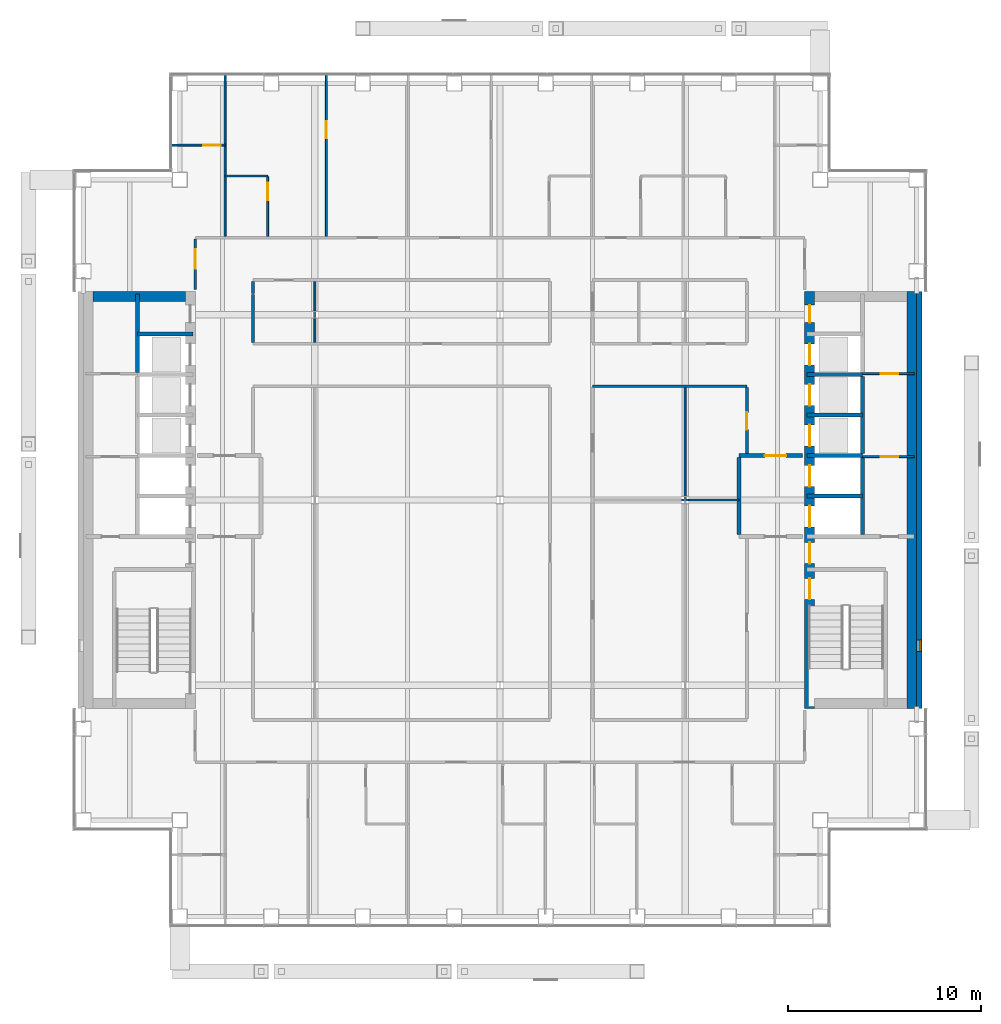
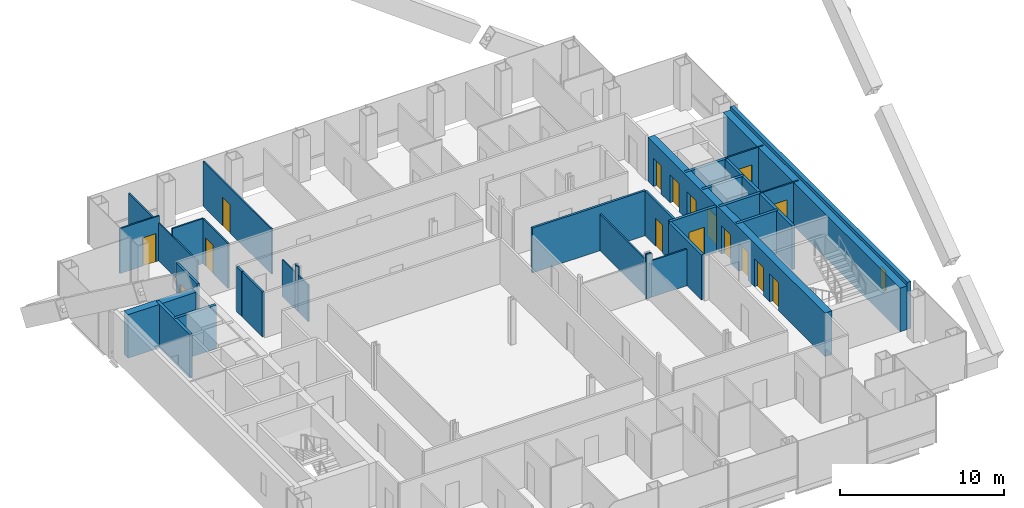
# One storey, part 14 of 18: 32 walls, 16 doors, 1 window, 17 openings.
"""IFC4 building model written with IfcOpenShell, lengths in metres."""

from ifc_helpers import new_model, si_unit, direction, frame, frame_2d, origin, place, context, subcontext, project, spatial, rectangle, extrude, material, layer, layer_set, type_object, element, fill, save


model = new_model("IFC4")

# Units and contexts
model_context = context("Model", 3, precision=1e-05, world=origin(), true_north=direction((0.0, 1.0)))
body_context = subcontext(model_context, "Body", "Model", "MODEL_VIEW")
ifc_project = project(units=[si_unit("LENGTHUNIT", "METRE"), si_unit("AREAUNIT", "SQUARE_METRE"), si_unit("VOLUMEUNIT", "CUBIC_METRE"), si_unit("PLANEANGLEUNIT", "RADIAN"), si_unit("MASSUNIT", "GRAM", prefix="KILO")], contexts=[model_context])

# Site, building, storey
site_placement = place(None, origin())
site = spatial("IfcSite", under=ifc_project, at=site_placement, CompositionType="ELEMENT")
building_placement = place(site_placement, origin())
building = spatial("IfcBuilding", under=site, at=building_placement, Name="Cobrizo Arcos Hotel Tower", CompositionType="ELEMENT")
storey_placement = place(building_placement, frame((0.0, 0.0, 158.5)))
storey = spatial("IfcBuildingStorey", under=building, at=storey_placement, Name="L40", CompositionType="ELEMENT", Elevation=158.5)

# Wall
ifc_material_1 = material(Name="Gypsum board partition")
ifc_layer_1 = layer(ifc_material_1, 0.14990234375)
ifc_layer_set_1 = layer_set([ifc_layer_1], Name="Corridor wall EI 60 150")
wall_type_1 = type_object("IfcWallType", Name="Corridor wall EI 60 150", PredefinedType="PARTITIONING", material=ifc_layer_set_1)
wall_1_placement = place(storey_placement, frame((4.800048828125, 5.89990234375, 0.0), z_axis=(0.0, 0.0, 1.0), x_axis=(1.0, 0.0, 0.0)))
element("IfcWall", 1, at=wall_1_placement, inside=storey, type_object=wall_type_1, Name="Partition 030", PredefinedType="PARTITIONING", context=body_context, shape_type="SweptSolid", body=[
    extrude(rectangle(XDim=8.0, YDim=0.14990234375, at=frame_2d((4.0, 0.0))), origin(), (0.0, 0.0, 1.0), 3.35009765625),
])

# Wall, opening, door
wall_2_placement = place(storey_placement, frame((-15.800048828125, 10.919921875, 0.0), z_axis=(0.0, 0.0, 1.0), x_axis=(0.0, 1.0, 0.0)))
wall_2 = element("IfcWall", 2, at=wall_2_placement, inside=storey, type_object=wall_type_1, Name="Partition 053", PredefinedType="PARTITIONING", context=body_context, shape_type="SweptSolid", body=[
    extrude(rectangle(XDim=2.60498046875, YDim=0.14990234375, at=frame_2d((1.302490234375, 0.0))), origin(), (0.0, 0.0, 1.0), 3.35009765625),
])
opening_1_placement = place(wall_2_placement, frame((1.080078125, 0.0, 0.0)))
opening_1 = element("IfcOpeningElement", 3, at=opening_1_placement, cuts=wall_2, Name="Opening GD-10", PredefinedType="OPENING", context=body_context, shape_type="SweptSolid", body=[
    extrude(rectangle(XDim=1.0, YDim=2.10009765625, at=frame_2d((0.5, 1.050048828125))), frame((0.0, 0.0869140625, 0.0), z_axis=(0.0, -1.0, 0.0), x_axis=(1.0, 0.0, 0.0)), (0.0, 0.0, 1.0), 0.173828125),
])
ifc_material_2 = material(Name="Timber door leaf", Category="wood")
door_type_1 = type_object("IfcDoorType", Name="Guest room door FD30S 1000x2100", OperationType="SINGLE_SWING_LEFT", PredefinedType="DOOR", material=ifc_material_2)
door_1_placement = place(opening_1_placement, origin())
door_1 = element("IfcDoor", 4, at=door_1_placement, inside=storey, type_object=door_type_1, Name="Door GD-10", OperationType="SINGLE_SWING_LEFT", OverallHeight=2.10009765625, OverallWidth=1.0, PredefinedType="DOOR", context=body_context, shape_type="SweptSolid", body=[
    extrude(rectangle(XDim=1.0, YDim=2.10009765625, at=frame_2d((0.5, 1.050048828125))), frame((0.0, 0.02490234375, 0.0), z_axis=(0.0, -1.0, 0.0), x_axis=(1.0, 0.0, 0.0)), (0.0, 0.0, 1.0), 0.050048828125),
])
fill(opening_1, door_1)

# Walls
wall_3_placement = place(storey_placement, frame((-12.800048828125, 8.175048828125, 0.0), z_axis=(0.0, 0.0, 1.0), x_axis=(0.0, 1.0, 0.0)))
element("IfcWall", 5, at=wall_3_placement, inside=storey, type_object=wall_type_1, Name="Partition 058", PredefinedType="PARTITIONING", context=body_context, shape_type="SweptSolid", body=[
    extrude(rectangle(XDim=2.474853515625, YDim=0.14990234375, at=frame_2d((1.2373046875, 0.0))), origin(), (0.0, 0.0, 1.0), 3.35009765625),
])
wall_4_placement = place(storey_placement, frame((-12.800048828125, 10.699951171875, 0.0), z_axis=(0.0, 0.0, 1.0), x_axis=(0.0, 1.0, 0.0)))
element("IfcWall", 6, at=wall_4_placement, inside=storey, type_object=wall_type_1, Name="Partition 059", PredefinedType="PARTITIONING", context=body_context, shape_type="SweptSolid", body=[
    extrude(rectangle(XDim=0.625, YDim=0.14990234375, at=frame_2d((0.3125, 0.0))), origin(), (0.0, 0.0, 1.0), 3.35009765625),
])

# Wall, opening, door
wall_5_placement = place(storey_placement, frame((12.800048828125, 2.39990234375, 0.0), z_axis=(0.0, 0.0, 1.0), x_axis=(0.0, 1.0, 0.0)))
wall_5 = element("IfcWall", 7, at=wall_5_placement, inside=storey, type_object=wall_type_1, Name="Partition 107", PredefinedType="PARTITIONING", context=body_context, shape_type="SweptSolid", body=[
    extrude(rectangle(XDim=3.425048828125, YDim=0.14990234375, at=frame_2d((1.71240234375, 0.0))), origin(), (0.0, 0.0, 1.0), 3.35009765625),
])
opening_2_placement = place(wall_5_placement, frame((1.25, 0.0, 0.0)))
opening_2 = element("IfcOpeningElement", 8, at=opening_2_placement, cuts=wall_5, Name="Opening RD-13", PredefinedType="OPENING", context=body_context, shape_type="SweptSolid", body=[
    extrude(rectangle(XDim=0.89990234375, YDim=2.10009765625, at=frame_2d((0.449951171875, 1.050048828125))), frame((0.0, 0.0869140625, 0.0), z_axis=(0.0, -1.0, 0.0), x_axis=(1.0, 0.0, 0.0)), (0.0, 0.0, 1.0), 0.173828125),
])
door_type_2 = type_object("IfcDoorType", Name="Room door FD30 900x2100", OperationType="SINGLE_SWING_LEFT", PredefinedType="DOOR", material=ifc_material_2)
door_2_placement = place(opening_2_placement, origin())
door_2 = element("IfcDoor", 9, at=door_2_placement, inside=storey, type_object=door_type_2, Name="Door RD-13", OperationType="SINGLE_SWING_RIGHT", OverallHeight=2.10009765625, OverallWidth=0.89990234375, PredefinedType="DOOR", context=body_context, shape_type="SweptSolid", body=[
    extrude(rectangle(XDim=0.89990234375, YDim=2.10009765625, at=frame_2d((0.449951171875, 1.050048828125))), frame((0.0, 0.02490234375, 0.0), z_axis=(0.0, -1.0, 0.0), x_axis=(1.0, 0.0, 0.0)), (0.0, 0.0, 1.0), 0.050048828125),
])
fill(opening_2, door_2)

# Wall, opening, window
ifc_material_3 = material(Name="Aluminium composite panel pale metal", Category="aluminium")
ifc_layer_2 = layer(ifc_material_3, 0.27490234375)
ifc_layer_set_2 = layer_set([ifc_layer_2], Name="EW-1 insulated panel wall 275")
wall_type_2 = type_object("IfcWallType", Name="EW-1 insulated panel wall 275", PredefinedType="SOLIDWALL", material=ifc_layer_set_2)
wall_6_placement = place(storey_placement, frame((21.737548828125, -10.800048828125, 0.0), z_axis=(0.0, 0.0, 1.0), x_axis=(0.0, 1.0, 0.0)))
wall_6 = element("IfcWall", 10, at=wall_6_placement, inside=storey, type_object=wall_type_2, Name="Core face wall L40 E", PredefinedType="SOLIDWALL", context=body_context, shape_type="SweptSolid", body=[
    extrude(rectangle(XDim=21.60009765625, YDim=0.27490234375, at=frame_2d((10.800048828125, 0.0))), origin(), (0.0, 0.0, 1.0), 3.5),
])
opening_3_placement = place(wall_6_placement, frame((2.949951171875, 0.0, 1.0)))
opening_3 = element("IfcOpeningElement", 11, at=opening_3_placement, cuts=wall_6, Name="Opening W-87", PredefinedType="OPENING", context=body_context, shape_type="SweptSolid", body=[
    extrude(rectangle(XDim=0.60009765625, YDim=1.5, at=frame_2d((0.300048828125, 0.75))), frame((0.0, 0.1494140625, 0.0), z_axis=(0.0, -1.0, 0.0), x_axis=(1.0, 0.0, 0.0)), (0.0, 0.0, 1.0), 0.298828125),
])
ifc_material_4 = material(Name="Aluminium 6063-T6 and clear laminated glass", Category="aluminium")
window_type = type_object("IfcWindowType", Name="W-C1 core stair slot window 600x1500", PartitioningType="SINGLE_PANEL", PredefinedType="WINDOW", material=ifc_material_4)
window_placement = place(opening_3_placement, origin())
window = element("IfcWindow", 12, at=window_placement, inside=storey, type_object=window_type, Name="Core face wall L40 E window W-87", OverallHeight=1.5, OverallWidth=0.60009765625, PartitioningType="SINGLE_PANEL", PredefinedType="WINDOW", context=body_context, shape_type="SweptSolid", body=[
    extrude(rectangle(XDim=0.60009765625, YDim=1.5, at=frame_2d((0.300048828125, 0.75))), frame((0.0, -0.04736328125, 0.0), z_axis=(0.0, -1.0, 0.0), x_axis=(1.0, 0.0, 0.0)), (0.0, 0.0, 1.0), 0.06005859375),
])
fill(opening_3, window)

# Walls
ifc_layer_3 = layer(ifc_material_1, 0.10009765625)
ifc_layer_set_3 = layer_set([ifc_layer_3], Name="Partition EI 30 100")
wall_type_3 = type_object("IfcWallType", Name="Partition EI 30 100", PredefinedType="PARTITIONING", material=ifc_layer_set_3)
wall_7_placement = place(storey_placement, frame((9.4130859375, 0.0, 0.0), z_axis=(0.0, 0.0, 1.0), x_axis=(1.0, 0.0, 0.0)))
element("IfcWall", 13, at=wall_7_placement, inside=storey, type_object=wall_type_3, Name="Partition 017", PredefinedType="PARTITIONING", context=body_context, shape_type="SweptSolid", body=[
    extrude(rectangle(XDim=0.3740234375, YDim=0.10009765625, at=frame_2d((0.18701171875, 0.0))), origin(), (0.0, 0.0, 1.0), 3.35009765625),
])
wall_8_placement = place(storey_placement, frame((9.787109375, 0.0, 0.0), z_axis=(0.0, 0.0, 1.0), x_axis=(1.0, 0.0, 0.0)))
element("IfcWall", 14, at=wall_8_placement, inside=storey, type_object=wall_type_3, Name="Partition 018", PredefinedType="PARTITIONING", context=body_context, shape_type="SweptSolid", body=[
    extrude(rectangle(XDim=2.61279296875, YDim=0.10009765625, at=frame_2d((1.306396484375, 0.0))), origin(), (0.0, 0.0, 1.0), 2.72802734375),
])

# Wall, opening, door
wall_9_placement = place(storey_placement, frame((18.800048828125, 2.25, 0.0), z_axis=(0.0, 0.0, 1.0), x_axis=(1.0, 0.0, 0.0)))
wall_9 = element("IfcWall", 15, at=wall_9_placement, inside=storey, type_object=wall_type_3, Name="Partition 022", PredefinedType="PARTITIONING", context=body_context, shape_type="SweptSolid", body=[
    extrude(rectangle(XDim=2.679931640625, YDim=0.10009765625, at=frame_2d((1.33984375, 0.0))), origin(), (0.0, 0.0, 1.0), 3.25),
])
opening_4_placement = place(wall_9_placement, frame((0.949951171875, 0.0, 0.0)))
opening_4 = element("IfcOpeningElement", 16, at=opening_4_placement, cuts=wall_9, Name="Opening RD-06", PredefinedType="OPENING", context=body_context, shape_type="SweptSolid", body=[
    extrude(rectangle(XDim=0.89990234375, YDim=2.10009765625, at=frame_2d((0.449951171875, 1.050048828125))), frame((0.0, 0.06201171875, 0.0), z_axis=(0.0, -1.0, 0.0), x_axis=(1.0, 0.0, 0.0)), (0.0, 0.0, 1.0), 0.1240234375),
])
door_3_placement = place(opening_4_placement, origin())
door_3 = element("IfcDoor", 17, at=door_3_placement, inside=storey, type_object=door_type_2, Name="Door RD-06", OperationType="SINGLE_SWING_LEFT", OverallHeight=2.10009765625, OverallWidth=0.89990234375, PredefinedType="DOOR", context=body_context, shape_type="SweptSolid", body=[
    extrude(rectangle(XDim=0.89990234375, YDim=2.10009765625, at=frame_2d((0.449951171875, 1.050048828125))), frame((0.0, 0.02490234375, 0.0), z_axis=(0.0, -1.0, 0.0), x_axis=(1.0, 0.0, 0.0)), (0.0, 0.0, 1.0), 0.050048828125),
])
fill(opening_4, door_3)

wall_10_placement = place(storey_placement, frame((18.800048828125, 6.550048828125, 0.0), z_axis=(0.0, 0.0, 1.0), x_axis=(1.0, 0.0, 0.0)))
wall_10 = element("IfcWall", 18, at=wall_10_placement, inside=storey, type_object=wall_type_3, Name="Partition 034", PredefinedType="PARTITIONING", context=body_context, shape_type="SweptSolid", body=[
    extrude(rectangle(XDim=2.679931640625, YDim=0.10009765625, at=frame_2d((1.33984375, 0.0))), origin(), (0.0, 0.0, 1.0), 3.25),
])
opening_5_placement = place(wall_10_placement, frame((0.949951171875, 0.0, 0.0)))
opening_5 = element("IfcOpeningElement", 19, at=opening_5_placement, cuts=wall_10, Name="Opening RD-07", PredefinedType="OPENING", context=body_context, shape_type="SweptSolid", body=[
    extrude(rectangle(XDim=0.89990234375, YDim=2.10009765625, at=frame_2d((0.449951171875, 1.050048828125))), frame((0.0, 0.06201171875, 0.0), z_axis=(0.0, -1.0, 0.0), x_axis=(1.0, 0.0, 0.0)), (0.0, 0.0, 1.0), 0.1240234375),
])
door_4_placement = place(opening_5_placement, origin())
door_4 = element("IfcDoor", 20, at=door_4_placement, inside=storey, type_object=door_type_2, Name="Door RD-07", OperationType="SINGLE_SWING_LEFT", OverallHeight=2.10009765625, OverallWidth=0.89990234375, PredefinedType="DOOR", context=body_context, shape_type="SweptSolid", body=[
    extrude(rectangle(XDim=0.89990234375, YDim=2.10009765625, at=frame_2d((0.449951171875, 1.050048828125))), frame((0.0, 0.02490234375, 0.0), z_axis=(0.0, -1.0, 0.0), x_axis=(1.0, 0.0, 0.0)), (0.0, 0.0, 1.0), 0.050048828125),
])
fill(opening_5, door_4)

# Wall
wall_11_placement = place(storey_placement, frame((-14.25, 16.800048828125, 0.0), z_axis=(0.0, 0.0, 1.0), x_axis=(1.0, 0.0, 0.0)))
element("IfcWall", 21, at=wall_11_placement, inside=storey, type_object=wall_type_3, Name="Partition 042", PredefinedType="PARTITIONING", context=body_context, shape_type="SweptSolid", body=[
    extrude(rectangle(XDim=2.199951171875, YDim=0.10009765625, at=frame_2d((1.10009765625, 0.0))), origin(), (0.0, 0.0, 1.0), 3.35009765625),
])

# Wall, opening, door
wall_12_placement = place(storey_placement, frame((-17.030029296875, 18.39990234375, 0.0), z_axis=(0.0, 0.0, 1.0), x_axis=(1.0, 0.0, 0.0)))
wall_12 = element("IfcWall", 22, at=wall_12_placement, inside=storey, type_object=wall_type_3, Name="Partition 045", PredefinedType="PARTITIONING", context=body_context, shape_type="SweptSolid", body=[
    extrude(rectangle(XDim=2.780029296875, YDim=0.10009765625, at=frame_2d((1.39013671875, 0.0))), origin(), (0.0, 0.0, 1.0), 3.35009765625),
])
opening_6_placement = place(wall_12_placement, frame((1.639892578125, 0.0, 0.0)))
opening_6 = element("IfcOpeningElement", 23, at=opening_6_placement, cuts=wall_12, Name="Opening ED-11", PredefinedType="OPENING", context=body_context, shape_type="SweptSolid", body=[
    extrude(rectangle(XDim=0.89990234375, YDim=2.10009765625, at=frame_2d((0.449951171875, 1.050048828125))), frame((0.0, 0.06201171875, 0.0), z_axis=(0.0, -1.0, 0.0), x_axis=(1.0, 0.0, 0.0)), (0.0, 0.0, 1.0), 0.1240234375),
])
door_type_3 = type_object("IfcDoorType", Name="En-suite door 900x2100", OperationType="SINGLE_SWING_LEFT", PredefinedType="DOOR", material=ifc_material_2)
door_5_placement = place(opening_6_placement, origin())
door_5 = element("IfcDoor", 24, at=door_5_placement, inside=storey, type_object=door_type_3, Name="Door ED-11", OperationType="SINGLE_SWING_RIGHT", OverallHeight=2.10009765625, OverallWidth=0.89990234375, PredefinedType="DOOR", context=body_context, shape_type="SweptSolid", body=[
    extrude(rectangle(XDim=0.89990234375, YDim=2.10009765625, at=frame_2d((0.449951171875, 1.050048828125))), frame((0.0, 0.02490234375, 0.0), z_axis=(0.0, -1.0, 0.0), x_axis=(1.0, 0.0, 0.0)), (0.0, 0.0, 1.0), 0.050048828125),
])
fill(opening_6, door_5)

# Wall
wall_13_placement = place(storey_placement, frame((-14.25, 13.675048828125, 0.0), z_axis=(0.0, 0.0, 1.0), x_axis=(0.0, 1.0, 0.0)))
element("IfcWall", 25, at=wall_13_placement, inside=storey, type_object=wall_type_3, Name="Partition 055", PredefinedType="PARTITIONING", context=body_context, shape_type="SweptSolid", body=[
    extrude(rectangle(XDim=8.35498046875, YDim=0.10009765625, at=frame_2d((4.177490234375, 0.0))), origin(), (0.0, 0.0, 1.0), 2.81689453125),
])

# Wall, opening, door
wall_14_placement = place(storey_placement, frame((-12.050048828125, 13.675048828125, 0.0), z_axis=(0.0, 0.0, 1.0), x_axis=(0.0, 1.0, 0.0)))
wall_14 = element("IfcWall", 26, at=wall_14_placement, inside=storey, type_object=wall_type_3, Name="Partition 061", PredefinedType="PARTITIONING", context=body_context, shape_type="SweptSolid", body=[
    extrude(rectangle(XDim=3.074951171875, YDim=0.10009765625, at=frame_2d((1.53759765625, 0.0))), origin(), (0.0, 0.0, 1.0), 3.35009765625),
])
opening_7_placement = place(wall_14_placement, frame((1.875, 0.0, 0.0)))
opening_7 = element("IfcOpeningElement", 27, at=opening_7_placement, cuts=wall_14, Name="Opening ED-02", PredefinedType="OPENING", context=body_context, shape_type="SweptSolid", body=[
    extrude(rectangle(XDim=0.89990234375, YDim=2.10009765625, at=frame_2d((0.449951171875, 1.050048828125))), frame((0.0, 0.06201171875, 0.0), z_axis=(0.0, -1.0, 0.0), x_axis=(1.0, 0.0, 0.0)), (0.0, 0.0, 1.0), 0.1240234375),
])
door_6_placement = place(opening_7_placement, origin())
door_6 = element("IfcDoor", 28, at=door_6_placement, inside=storey, type_object=door_type_3, Name="Door ED-02", OperationType="SINGLE_SWING_RIGHT", OverallHeight=2.10009765625, OverallWidth=0.89990234375, PredefinedType="DOOR", context=body_context, shape_type="SweptSolid", body=[
    extrude(rectangle(XDim=0.89990234375, YDim=2.10009765625, at=frame_2d((0.449951171875, 1.050048828125))), frame((0.0, 0.02490234375, 0.0), z_axis=(0.0, -1.0, 0.0), x_axis=(1.0, 0.0, 0.0)), (0.0, 0.0, 1.0), 0.050048828125),
])
fill(opening_7, door_6)

# Walls
wall_15_placement = place(storey_placement, frame((-9.60009765625, 8.175048828125, 0.0), z_axis=(0.0, 0.0, 1.0), x_axis=(0.0, 1.0, 0.0)))
element("IfcWall", 29, at=wall_15_placement, inside=storey, type_object=wall_type_3, Name="Partition 068", PredefinedType="PARTITIONING", context=body_context, shape_type="SweptSolid", body=[
    extrude(rectangle(XDim=1.238037109375, YDim=0.10009765625, at=frame_2d((0.619140625, 0.0))), origin(), (0.0, 0.0, 1.0), 2.72802734375),
])
wall_16_placement = place(storey_placement, frame((-9.60009765625, 9.4130859375, 0.0), z_axis=(0.0, 0.0, 1.0), x_axis=(0.0, 1.0, 0.0)))
element("IfcWall", 30, at=wall_16_placement, inside=storey, type_object=wall_type_3, Name="Partition 069", PredefinedType="PARTITIONING", context=body_context, shape_type="SweptSolid", body=[
    extrude(rectangle(XDim=0.3740234375, YDim=0.10009765625, at=frame_2d((0.18701171875, 0.0))), origin(), (0.0, 0.0, 1.0), 3.35009765625),
])
wall_17_placement = place(storey_placement, frame((-9.60009765625, 9.787109375, 0.0), z_axis=(0.0, 0.0, 1.0), x_axis=(0.0, 1.0, 0.0)))
element("IfcWall", 31, at=wall_17_placement, inside=storey, type_object=wall_type_3, Name="Partition 070", PredefinedType="PARTITIONING", context=body_context, shape_type="SweptSolid", body=[
    extrude(rectangle(XDim=1.537841796875, YDim=0.10009765625, at=frame_2d((0.76904296875, 0.0))), origin(), (0.0, 0.0, 1.0), 2.72802734375),
])

# Wall, opening, door
wall_18_placement = place(storey_placement, frame((-9.0, 13.675048828125, 0.0), z_axis=(0.0, 0.0, 1.0), x_axis=(0.0, 1.0, 0.0)))
wall_18 = element("IfcWall", 32, at=wall_18_placement, inside=storey, type_object=wall_type_3, Name="Partition 071", PredefinedType="PARTITIONING", context=body_context, shape_type="SweptSolid", body=[
    extrude(rectangle(XDim=8.35498046875, YDim=0.10009765625, at=frame_2d((4.177490234375, 0.0))), origin(), (0.0, 0.0, 1.0), 3.35009765625),
])
opening_8_placement = place(wall_18_placement, frame((5.074951171875, 0.0, 0.0)))
opening_8 = element("IfcOpeningElement", 33, at=opening_8_placement, cuts=wall_18, Name="Opening RD-08", PredefinedType="OPENING", context=body_context, shape_type="SweptSolid", body=[
    extrude(rectangle(XDim=0.89990234375, YDim=2.10009765625, at=frame_2d((0.449951171875, 1.050048828125))), frame((0.0, 0.06201171875, 0.0), z_axis=(0.0, -1.0, 0.0), x_axis=(1.0, 0.0, 0.0)), (0.0, 0.0, 1.0), 0.1240234375),
])
door_7_placement = place(opening_8_placement, origin())
door_7 = element("IfcDoor", 34, at=door_7_placement, inside=storey, type_object=door_type_2, Name="Door RD-08", OperationType="SINGLE_SWING_RIGHT", OverallHeight=2.10009765625, OverallWidth=0.89990234375, PredefinedType="DOOR", context=body_context, shape_type="SweptSolid", body=[
    extrude(rectangle(XDim=0.89990234375, YDim=2.10009765625, at=frame_2d((0.449951171875, 1.050048828125))), frame((0.0, 0.02490234375, 0.0), z_axis=(0.0, -1.0, 0.0), x_axis=(1.0, 0.0, 0.0)), (0.0, 0.0, 1.0), 0.050048828125),
])
fill(opening_8, door_7)

# Wall
wall_19_placement = place(storey_placement, frame((9.60009765625, 0.050048828125, 0.0), z_axis=(0.0, 0.0, 1.0), x_axis=(0.0, 1.0, 0.0)))
element("IfcWall", 35, at=wall_19_placement, inside=storey, type_object=wall_type_3, Name="Partition 099", PredefinedType="PARTITIONING", context=body_context, shape_type="SweptSolid", body=[
    extrude(rectangle(XDim=5.77490234375, YDim=0.10009765625, at=frame_2d((2.887451171875, 0.0))), origin(), (0.0, 0.0, 1.0), 2.72802734375),
])

# Wall, openings, doors
ifc_material_5 = material(Name="Concrete f'c 50 MPa", Category="concrete")
ifc_layer_4 = layer(ifc_material_5, 0.5)
ifc_layer_set_4 = layer_set([ifc_layer_4], Name="RC core wall 500 f'c 50")
wall_type_4 = type_object("IfcWallType", Name="RC core wall 500 f'c 50", PredefinedType="SHEAR", material=ifc_layer_set_4)
wall_20_placement = place(storey_placement, frame((16.050048828125, -10.800048828125, 0.0), z_axis=(0.0, 0.0, 1.0), x_axis=(0.0, 1.0, 0.0)))
wall_20 = element("IfcWall", 36, at=wall_20_placement, inside=storey, type_object=wall_type_4, Name="Core wall CW3, east core, inner face, L40", PredefinedType="SHEAR", context=body_context, shape_type="SweptSolid", body=[
    extrude(rectangle(XDim=21.60009765625, YDim=0.5, at=frame_2d((10.800048828125, 0.0))), origin(), (0.0, 0.0, 1.0), 3.25),
])
opening_9_placement = place(wall_20_placement, frame((9.39990234375, 0.0, 0.0)))
opening_9 = element("IfcOpeningElement", 37, at=opening_9_placement, cuts=wall_20, Name="Opening LD-06", PredefinedType="OPENING", context=body_context, shape_type="SweptSolid", body=[
    extrude(rectangle(XDim=1.10009765625, YDim=2.10009765625, at=frame_2d((0.550048828125, 1.050048828125))), frame((0.0, 0.261962890625, 0.0), z_axis=(0.0, -1.0, 0.0), x_axis=(1.0, 0.0, 0.0)), (0.0, 0.0, 1.0), 0.52392578125),
])
opening_10_placement = place(wall_20_placement, frame((11.5, 0.0, 0.0)))
opening_10 = element("IfcOpeningElement", 38, at=opening_10_placement, cuts=wall_20, Name="Opening LD-07", PredefinedType="OPENING", context=body_context, shape_type="SweptSolid", body=[
    extrude(rectangle(XDim=1.10009765625, YDim=2.10009765625, at=frame_2d((0.550048828125, 1.050048828125))), frame((0.0, 0.261962890625, 0.0), z_axis=(0.0, -1.0, 0.0), x_axis=(1.0, 0.0, 0.0)), (0.0, 0.0, 1.0), 0.52392578125),
])
opening_11_placement = place(wall_20_placement, frame((13.60009765625, 0.0, 0.0)))
opening_11 = element("IfcOpeningElement", 39, at=opening_11_placement, cuts=wall_20, Name="Opening LD-08", PredefinedType="OPENING", context=body_context, shape_type="SweptSolid", body=[
    extrude(rectangle(XDim=1.10009765625, YDim=2.10009765625, at=frame_2d((0.550048828125, 1.050048828125))), frame((0.0, 0.261962890625, 0.0), z_axis=(0.0, -1.0, 0.0), x_axis=(1.0, 0.0, 0.0)), (0.0, 0.0, 1.0), 0.52392578125),
])
opening_12_placement = place(wall_20_placement, frame((15.699951171875, 0.0, 0.0)))
opening_12 = element("IfcOpeningElement", 40, at=opening_12_placement, cuts=wall_20, Name="Opening LD-09", PredefinedType="OPENING", context=body_context, shape_type="SweptSolid", body=[
    extrude(rectangle(XDim=1.10009765625, YDim=2.10009765625, at=frame_2d((0.550048828125, 1.050048828125))), frame((0.0, 0.261962890625, 0.0), z_axis=(0.0, -1.0, 0.0), x_axis=(1.0, 0.0, 0.0)), (0.0, 0.0, 1.0), 0.52392578125),
])
opening_13_placement = place(wall_20_placement, frame((17.800048828125, 0.0, 0.0)))
opening_13 = element("IfcOpeningElement", 41, at=opening_13_placement, cuts=wall_20, Name="Opening LD-10", PredefinedType="OPENING", context=body_context, shape_type="SweptSolid", body=[
    extrude(rectangle(XDim=1.10009765625, YDim=2.10009765625, at=frame_2d((0.550048828125, 1.050048828125))), frame((0.0, 0.261962890625, 0.0), z_axis=(0.0, -1.0, 0.0), x_axis=(1.0, 0.0, 0.0)), (0.0, 0.0, 1.0), 0.52392578125),
])
opening_14_placement = place(wall_20_placement, frame((5.64208984375, 0.0, 0.0)))
opening_14 = element("IfcOpeningElement", 42, at=opening_14_placement, cuts=wall_20, Name="Opening SD-02", PredefinedType="OPENING", context=body_context, shape_type="SweptSolid", body=[
    extrude(rectangle(XDim=1.10009765625, YDim=2.10009765625, at=frame_2d((0.550048828125, 1.050048828125))), frame((0.0, 0.261962890625, 0.0), z_axis=(0.0, -1.0, 0.0), x_axis=(1.0, 0.0, 0.0)), (0.0, 0.0, 1.0), 0.52392578125),
])
opening_15_placement = place(wall_20_placement, frame((7.5, 0.0, 0.0)))
opening_15 = element("IfcOpeningElement", 43, at=opening_15_placement, cuts=wall_20, Name="Opening FD-04", PredefinedType="OPENING", context=body_context, shape_type="SweptSolid", body=[
    extrude(rectangle(XDim=1.10009765625, YDim=2.10009765625, at=frame_2d((0.550048828125, 1.050048828125))), frame((0.0, 0.261962890625, 0.0), z_axis=(0.0, -1.0, 0.0), x_axis=(1.0, 0.0, 0.0)), (0.0, 0.0, 1.0), 0.52392578125),
])
opening_16_placement = place(wall_20_placement, frame((20.0, 0.0, 0.0)))
opening_16 = element("IfcOpeningElement", 44, at=opening_16_placement, cuts=wall_20, Name="Opening RD-04", PredefinedType="OPENING", context=body_context, shape_type="SweptSolid", body=[
    extrude(rectangle(XDim=0.89990234375, YDim=2.10009765625, at=frame_2d((0.449951171875, 1.050048828125))), frame((0.0, 0.261962890625, 0.0), z_axis=(0.0, -1.0, 0.0), x_axis=(1.0, 0.0, 0.0)), (0.0, 0.0, 1.0), 0.52392578125),
])
ifc_material_6 = material(Name="Steel door leaf", Category="steel")
door_type_4 = type_object("IfcDoorType", Name="Fire door FD60 1100x2100", OperationType="SINGLE_SWING_LEFT", PredefinedType="DOOR", material=ifc_material_6)
door_8_placement = place(opening_15_placement, origin())
door_8 = element("IfcDoor", 45, at=door_8_placement, inside=storey, type_object=door_type_4, Name="Door FD-04", OperationType="SINGLE_SWING_RIGHT", OverallHeight=2.10009765625, OverallWidth=1.10009765625, PredefinedType="DOOR", context=body_context, shape_type="SweptSolid", body=[
    extrude(rectangle(XDim=1.10009765625, YDim=2.10009765625, at=frame_2d((0.550048828125, 1.050048828125))), frame((0.0, 0.02490234375, 0.0), z_axis=(0.0, -1.0, 0.0), x_axis=(1.0, 0.0, 0.0)), (0.0, 0.0, 1.0), 0.050048828125),
])
fill(opening_15, door_8)
door_type_5 = type_object("IfcDoorType", Name="Lift landing door 1100x2100", OperationType="SLIDING_TO_LEFT", PredefinedType="DOOR", material=ifc_material_6)
door_9_placement = place(opening_9_placement, origin())
door_9 = element("IfcDoor", 46, at=door_9_placement, inside=storey, type_object=door_type_5, Name="Lift landing door LD-06", OperationType="SLIDING_TO_LEFT", OverallHeight=2.10009765625, OverallWidth=1.10009765625, PredefinedType="DOOR", context=body_context, shape_type="SweptSolid", body=[
    extrude(rectangle(XDim=1.10009765625, YDim=2.10009765625, at=frame_2d((0.550048828125, 1.050048828125))), frame((0.0, 0.02490234375, 0.0), z_axis=(0.0, -1.0, 0.0), x_axis=(1.0, 0.0, 0.0)), (0.0, 0.0, 1.0), 0.050048828125),
])
fill(opening_9, door_9)
door_10_placement = place(opening_10_placement, origin())
door_10 = element("IfcDoor", 47, at=door_10_placement, inside=storey, type_object=door_type_5, Name="Lift landing door LD-07", OperationType="SLIDING_TO_LEFT", OverallHeight=2.10009765625, OverallWidth=1.10009765625, PredefinedType="DOOR", context=body_context, shape_type="SweptSolid", body=[
    extrude(rectangle(XDim=1.10009765625, YDim=2.10009765625, at=frame_2d((0.550048828125, 1.050048828125))), frame((0.0, 0.02490234375, 0.0), z_axis=(0.0, -1.0, 0.0), x_axis=(1.0, 0.0, 0.0)), (0.0, 0.0, 1.0), 0.050048828125),
])
fill(opening_10, door_10)
door_11_placement = place(opening_11_placement, origin())
door_11 = element("IfcDoor", 48, at=door_11_placement, inside=storey, type_object=door_type_5, Name="Lift landing door LD-08", OperationType="SLIDING_TO_LEFT", OverallHeight=2.10009765625, OverallWidth=1.10009765625, PredefinedType="DOOR", context=body_context, shape_type="SweptSolid", body=[
    extrude(rectangle(XDim=1.10009765625, YDim=2.10009765625, at=frame_2d((0.550048828125, 1.050048828125))), frame((0.0, 0.02490234375, 0.0), z_axis=(0.0, -1.0, 0.0), x_axis=(1.0, 0.0, 0.0)), (0.0, 0.0, 1.0), 0.050048828125),
])
fill(opening_11, door_11)
door_12_placement = place(opening_12_placement, origin())
door_12 = element("IfcDoor", 49, at=door_12_placement, inside=storey, type_object=door_type_5, Name="Lift landing door LD-09", OperationType="SLIDING_TO_LEFT", OverallHeight=2.10009765625, OverallWidth=1.10009765625, PredefinedType="DOOR", context=body_context, shape_type="SweptSolid", body=[
    extrude(rectangle(XDim=1.10009765625, YDim=2.10009765625, at=frame_2d((0.550048828125, 1.050048828125))), frame((0.0, 0.02490234375, 0.0), z_axis=(0.0, -1.0, 0.0), x_axis=(1.0, 0.0, 0.0)), (0.0, 0.0, 1.0), 0.050048828125),
])
fill(opening_12, door_12)
door_13_placement = place(opening_13_placement, origin())
door_13 = element("IfcDoor", 50, at=door_13_placement, inside=storey, type_object=door_type_5, Name="Lift landing door LD-10", OperationType="SLIDING_TO_LEFT", OverallHeight=2.10009765625, OverallWidth=1.10009765625, PredefinedType="DOOR", context=body_context, shape_type="SweptSolid", body=[
    extrude(rectangle(XDim=1.10009765625, YDim=2.10009765625, at=frame_2d((0.550048828125, 1.050048828125))), frame((0.0, 0.02490234375, 0.0), z_axis=(0.0, -1.0, 0.0), x_axis=(1.0, 0.0, 0.0)), (0.0, 0.0, 1.0), 0.050048828125),
])
fill(opening_13, door_13)
door_14_placement = place(opening_16_placement, origin())
door_14 = element("IfcDoor", 51, at=door_14_placement, inside=storey, type_object=door_type_2, Name="Door RD-04", OperationType="SINGLE_SWING_RIGHT", OverallHeight=2.10009765625, OverallWidth=0.89990234375, PredefinedType="DOOR", context=body_context, shape_type="SweptSolid", body=[
    extrude(rectangle(XDim=0.89990234375, YDim=2.10009765625, at=frame_2d((0.449951171875, 1.050048828125))), frame((0.0, 0.02490234375, 0.0), z_axis=(0.0, -1.0, 0.0), x_axis=(1.0, 0.0, 0.0)), (0.0, 0.0, 1.0), 0.050048828125),
])
fill(opening_16, door_14)
door_type_6 = type_object("IfcDoorType", Name="Stair door FD60S 1100x2100", OperationType="SINGLE_SWING_LEFT", PredefinedType="DOOR", material=ifc_material_6)
door_15_placement = place(opening_14_placement, origin())
door_15 = element("IfcDoor", 52, at=door_15_placement, inside=storey, type_object=door_type_6, Name="Door SD-02", OperationType="SINGLE_SWING_LEFT", OverallHeight=2.10009765625, OverallWidth=1.10009765625, PredefinedType="DOOR", context=body_context, shape_type="SweptSolid", body=[
    extrude(rectangle(XDim=1.10009765625, YDim=2.10009765625, at=frame_2d((0.550048828125, 1.050048828125))), frame((0.0, 0.02490234375, 0.0), z_axis=(0.0, -1.0, 0.0), x_axis=(1.0, 0.0, 0.0)), (0.0, 0.0, 1.0), 0.050048828125),
])
fill(opening_14, door_15)

# Walls
wall_21_placement = place(storey_placement, frame((21.35009765625, -10.800048828125, 0.0), z_axis=(0.0, 0.0, 1.0), x_axis=(0.0, 1.0, 0.0)))
element("IfcWall", 53, at=wall_21_placement, inside=storey, type_object=wall_type_4, Name="Core wall CW3, east core, outer face, L40", PredefinedType="SHEAR", context=body_context, shape_type="SweptSolid", body=[
    extrude(rectangle(XDim=21.60009765625, YDim=0.5, at=frame_2d((10.800048828125, 0.0))), origin(), (0.0, 0.0, 1.0), 3.25),
])
wall_22_placement = place(storey_placement, frame((-21.10009765625, 10.550048828125, 0.0), z_axis=(0.0, 0.0, 1.0), x_axis=(1.0, 0.0, 0.0)))
element("IfcWall", 54, at=wall_22_placement, inside=storey, type_object=wall_type_4, Name="Core wall CW3, west core, north end, L40", PredefinedType="SHEAR", context=body_context, shape_type="SweptSolid", body=[
    extrude(rectangle(XDim=4.800048828125, YDim=0.5, at=frame_2d((2.39990234375, 0.0))), origin(), (0.0, 0.0, 1.0), 3.25),
])
ifc_layer_5 = layer(ifc_material_1, 0.199951171875)
ifc_layer_set_5 = layer_set([ifc_layer_5], Name="Shaft wall EI 120 200")
wall_type_5 = type_object("IfcWallType", Name="Shaft wall EI 120 200", PredefinedType="PARTITIONING", material=ifc_layer_set_5)
wall_23_placement = place(storey_placement, frame((15.919921875, 0.199951171875, 0.0), z_axis=(0.0, 0.0, 1.0), x_axis=(1.0, 0.0, 0.0)))
element("IfcWall", 55, at=wall_23_placement, inside=storey, type_object=wall_type_5, Name="Partition 020", PredefinedType="PARTITIONING", context=body_context, shape_type="SweptSolid", body=[
    extrude(rectangle(XDim=2.880126953125, YDim=0.199951171875, at=frame_2d((1.43994140625, 0.0))), origin(), (0.0, 0.0, 1.0), 3.25),
])

# Wall, opening, door
wall_24_placement = place(storey_placement, frame((12.39990234375, 2.300048828125, 0.0), z_axis=(0.0, 0.0, 1.0), x_axis=(1.0, 0.0, 0.0)))
wall_24 = element("IfcWall", 56, at=wall_24_placement, inside=storey, type_object=wall_type_5, Name="Partition 025", PredefinedType="PARTITIONING", context=body_context, shape_type="SweptSolid", body=[
    extrude(rectangle(XDim=3.280029296875, YDim=0.199951171875, at=frame_2d((1.64013671875, 0.0))), origin(), (0.0, 0.0, 1.0), 3.35009765625),
])
opening_17_placement = place(wall_24_placement, frame((1.340087890625, 0.0, 0.0)))
opening_17 = element("IfcOpeningElement", 57, at=opening_17_placement, cuts=wall_24, Name="Opening FD-05", PredefinedType="OPENING", context=body_context, shape_type="SweptSolid", body=[
    extrude(rectangle(XDim=1.10009765625, YDim=2.10009765625, at=frame_2d((0.550048828125, 1.050048828125))), frame((0.0, 0.112060546875, 0.0), z_axis=(0.0, -1.0, 0.0), x_axis=(1.0, 0.0, 0.0)), (0.0, 0.0, 1.0), 0.223876953125),
])
door_16_placement = place(opening_17_placement, origin())
door_16 = element("IfcDoor", 58, at=door_16_placement, inside=storey, type_object=door_type_4, Name="Door FD-05", OperationType="SINGLE_SWING_LEFT", OverallHeight=2.10009765625, OverallWidth=1.10009765625, PredefinedType="DOOR", context=body_context, shape_type="SweptSolid", body=[
    extrude(rectangle(XDim=1.10009765625, YDim=2.10009765625, at=frame_2d((0.550048828125, 1.050048828125))), frame((0.0, 0.02490234375, 0.0), z_axis=(0.0, -1.0, 0.0), x_axis=(1.0, 0.0, 0.0)), (0.0, 0.0, 1.0), 0.050048828125),
])
fill(opening_17, door_16)

# Walls
for number, where, z_axis, x_axis, name in (
    (59, (15.919921875, 2.300048828125, 0.0), (0.0, 0.0, 1.0), (1.0, 0.0, 0.0), "Partition 026"),
    (60, (15.919921875, 4.39990234375, 0.0), (0.0, 0.0, 1.0), (1.0, 0.0, 0.0), "Partition 028"),
    (61, (15.919921875, 6.5, 0.0), (0.0, 0.0, 1.0), (1.0, 0.0, 0.0), "Partition 032"),
    (62, (-18.800048828125, 8.60009765625, 0.0), (0.0, 0.0, 1.0), (1.0, 0.0, 0.0), "Partition 037"),
):
    element("IfcWall", number, at=place(storey_placement, frame(where, z_axis=z_axis, x_axis=x_axis)), inside=storey, type_object=wall_type_5, Name=name, PredefinedType="PARTITIONING", context=body_context, shape_type="SweptSolid", body=[
        extrude(rectangle(XDim=2.880126953125, YDim=0.199951171875, at=frame_2d((1.43994140625, 0.0))), origin(), (0.0, 0.0, 1.0), 3.25),
    ])
wall_25_placement = place(storey_placement, frame((-18.800048828125, 6.60009765625, 0.0), z_axis=(0.0, 0.0, 1.0), x_axis=(0.0, 1.0, 0.0)))
element("IfcWall", 63, at=wall_25_placement, inside=storey, type_object=wall_type_5, Name="Partition 051", PredefinedType="PARTITIONING", context=body_context, shape_type="SweptSolid", body=[
    extrude(rectangle(XDim=4.079833984375, YDim=0.199951171875, at=frame_2d((2.0400390625, 0.0))), origin(), (0.0, 0.0, 1.0), 3.25),
])
wall_26_placement = place(storey_placement, frame((12.39990234375, -1.800048828125, 0.0), z_axis=(0.0, 0.0, 1.0), x_axis=(0.0, 1.0, 0.0)))
element("IfcWall", 64, at=wall_26_placement, inside=storey, type_object=wall_type_5, Name="Partition 105", PredefinedType="PARTITIONING", context=body_context, shape_type="SweptSolid", body=[
    extrude(rectangle(XDim=4.0, YDim=0.199951171875, at=frame_2d((2.0, 0.0))), origin(), (0.0, 0.0, 1.0), 3.35009765625),
])
for number, where, z_axis, x_axis, name in (
    (65, (18.800048828125, -1.800048828125, 0.0), (0.0, 0.0, 1.0), (0.0, 1.0, 0.0), "Partition 114"),
    (66, (18.800048828125, 2.39990234375, 0.0), (0.0, 0.0, 1.0), (0.0, 1.0, 0.0), "Partition 115"),
):
    element("IfcWall", number, at=place(storey_placement, frame(where, z_axis=z_axis, x_axis=x_axis)), inside=storey, type_object=wall_type_5, Name=name, PredefinedType="PARTITIONING", context=body_context, shape_type="SweptSolid", body=[
        extrude(rectangle(XDim=4.0, YDim=0.199951171875, at=frame_2d((2.0, 0.0))), origin(), (0.0, 0.0, 1.0), 3.25),
    ])

save(model, "model.ifc")
